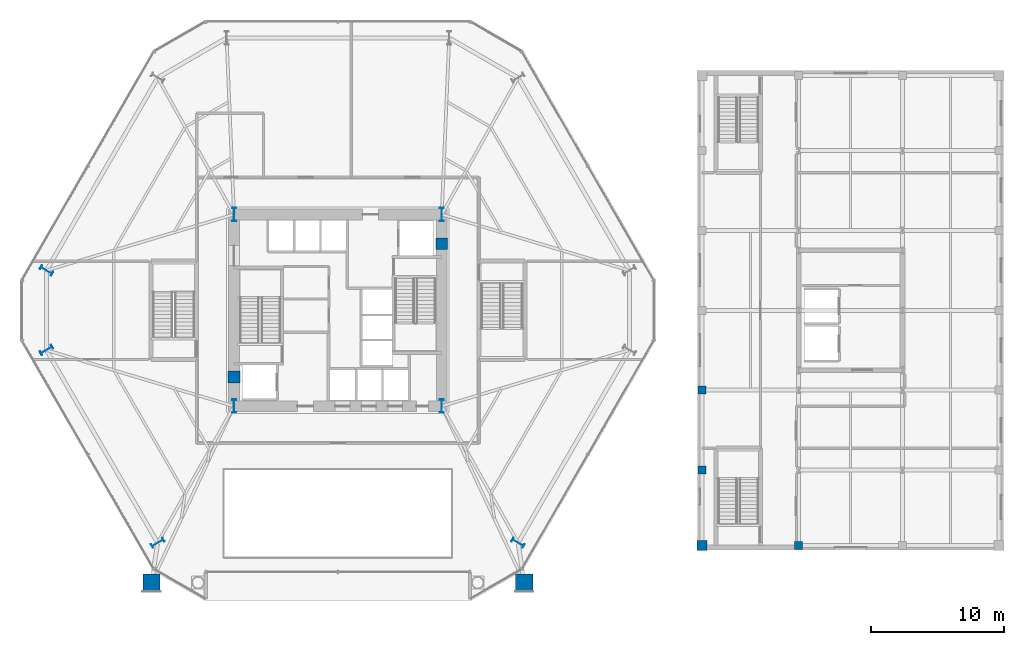
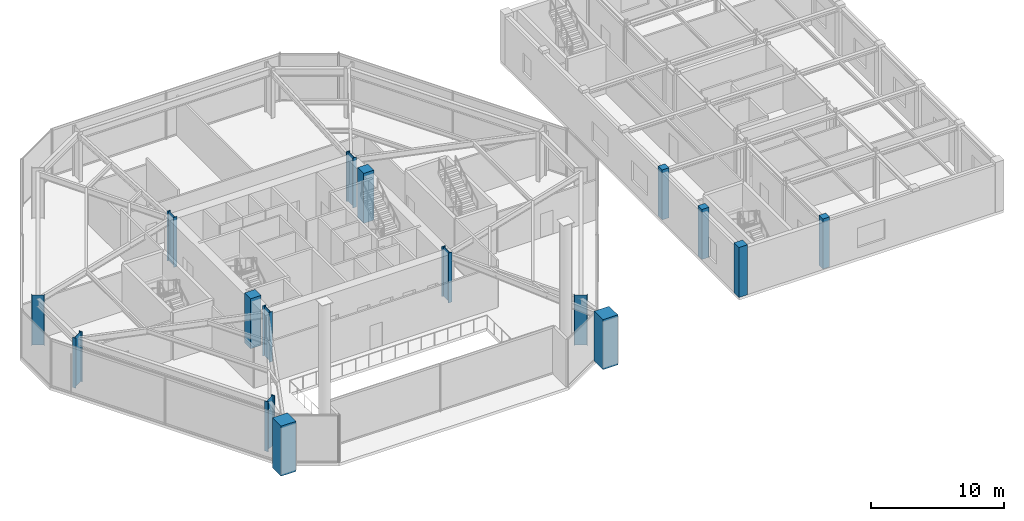
# One storey, part 1 of 22: 16 columns.
"""IFC4 building model written with IfcOpenShell, lengths in metres."""

from ifc_helpers import new_model, si_unit, direction, frame, origin, origin_2d, place, context, subcontext, project, spatial, rectangle, i_section, extrude, material, material_profile, profile_set, type_object, element, save


model = new_model("IFC4")

# Units and contexts
model_context = context("Model", 3, precision=1e-05, world=origin(), true_north=direction((0.0, 1.0)))
body_context = subcontext(model_context, "Body", "Model", "MODEL_VIEW")
ifc_project = project(units=[si_unit("LENGTHUNIT", "METRE"), si_unit("AREAUNIT", "SQUARE_METRE"), si_unit("VOLUMEUNIT", "CUBIC_METRE"), si_unit("PLANEANGLEUNIT", "RADIAN"), si_unit("MASSUNIT", "GRAM", prefix="KILO")], contexts=[model_context])

# Site, building, storey
site_placement = place(None, origin())
site = spatial("IfcSite", under=ifc_project, at=site_placement, CompositionType="ELEMENT")
building_placement = place(site_placement, origin())
building = spatial("IfcBuilding", under=site, at=building_placement, Name="Kranzbogen Civic Tower", CompositionType="ELEMENT")
storey_placement = place(building_placement, frame((0.0, 0.0, 5.199951171875)))
storey = spatial("IfcBuildingStorey", under=building, at=storey_placement, Name="L01", CompositionType="ELEMENT", Elevation=5.199951171875)

# Columns
ifc_material_1 = material(Name="Steel S460", Category="steel")
ifc_material_profile_1 = material_profile(ifc_material_1, i_section(OverallWidth=0.302001953125, OverallDepth=1.008056640625, WebThickness=0.02099609375, FlangeThickness=0.0400390625, at=origin_2d()), Name="HEM 1000")
ifc_profile_set_1 = profile_set([ifc_material_profile_1], Name="Steel S460")
column_type_1 = type_object("IfcColumnType", Name="Structural Column HEM 1000", PredefinedType="COLUMN", material=ifc_profile_set_1)
for number, where, z_axis, x_axis, name in (
    (1, (17.199951171875, 17.800048828125, 0.0), (0.0, 0.0, 1.0), (1.0, 0.0, 0.0), "L01 composite core corner column 1"),
    (2, (32.800048828125, 17.800048828125, 0.0), (0.0, 0.0, 1.0), (1.0, 0.0, 0.0), "L01 composite core corner column 2"),
    (3, (32.800048828125, 32.199951171875, 0.0), (0.0, 0.0, 1.0), (1.0, 0.0, 0.0), "L01 composite core corner column 3"),
    (4, (17.199951171875, 32.199951171875, 0.0), (0.0, 0.0, 1.0), (1.0, 0.0, 0.0), "L01 composite core corner column 4"),
    (5, (3.110107421875, 27.986083984375, 0.0), (0.0, 0.0, 1.0), (0.5, 0.866025403784, 0.0), "L01 tower perimeter tube column 06"),
    (6, (3.110107421875, 22.013916015625, 0.0), (0.0, 0.0, 1.0), (-0.5, 0.866025403784, 0.0), "L01 tower perimeter tube column 07"),
    (7, (11.468994140625, 7.535888671875, 0.0), (0.0, 0.0, 1.0), (-0.5, 0.866025403784, 0.0), "L01 tower perimeter tube column 08"),
    (8, (38.531005859375, 7.535888671875, 0.0), (0.0, 0.0, 1.0), (0.5, 0.866025403784, 0.0), "L01 tower perimeter tube column 11"),
):
    element("IfcColumn", number, at=place(storey_placement, frame(where, z_axis=z_axis, x_axis=x_axis)), inside=storey, type_object=column_type_1, Name=name, PredefinedType="COLUMN", context=body_context, shape_type="SweptSolid", body=[
        extrude(i_section(OverallWidth=0.302001953125, OverallDepth=1.008056640625, WebThickness=0.02099609375, FlangeThickness=0.0400390625, at=origin_2d()), origin(), (0.0, 0.0, 1.0), 4.60009765625),
    ])
ifc_material_2 = material(Name="Concrete C55/67", Category="concrete")
ifc_material_profile_2 = material_profile(ifc_material_2, rectangle(XDim=1.300048828125, YDim=1.300048828125, at=origin_2d()), Name="RC 1300x1300")
ifc_profile_set_2 = profile_set([ifc_material_profile_2], Name="Concrete C55/67")
column_type_2 = type_object("IfcColumnType", Name="Structural Column RC 1300x1300", PredefinedType="COLUMN", material=ifc_profile_set_2)
for number, where, z_axis, x_axis, name in (
    (9, (11.0, 4.550048828125, 0.0), (0.0, 0.0, 1.0), (1.0, 0.0, 0.0), "L01 portal arch corner pier 1"),
    (10, (39.0, 4.550048828125, 0.0), (0.0, 0.0, 1.0), (1.0, 0.0, 0.0), "L01 portal arch corner pier 2"),
):
    element("IfcColumn", number, at=place(storey_placement, frame(where, z_axis=z_axis, x_axis=x_axis)), inside=storey, type_object=column_type_2, Name=name, PredefinedType="COLUMN", context=body_context, shape_type="SweptSolid", body=[
        extrude(rectangle(XDim=1.300048828125, YDim=1.300048828125, at=origin_2d()), origin(), (0.0, 0.0, 1.0), 4.60009765625),
    ])
ifc_material_3 = material(Name="Concrete C40/50", Category="concrete")
ifc_material_profile_3 = material_profile(ifc_material_3, rectangle(XDim=0.60009765625, YDim=0.60009765625, at=origin_2d()), Name="RC 600x600")
ifc_profile_set_3 = profile_set([ifc_material_profile_3], Name="Concrete C40/50")
column_type_3 = type_object("IfcColumnType", Name="Structural Column RC 600x600", PredefinedType="COLUMN", material=ifc_profile_set_3)
for number, where, z_axis, x_axis, name in (
    (11, (52.35009765625, 13.0, 0.0), (0.0, 0.0, 1.0), (1.0, 0.0, 0.0), "L01 Health Centre column 10/C"),
    (12, (52.35009765625, 19.0, 0.0), (0.0, 0.0, 1.0), (1.0, 0.0, 0.0), "L01 Health Centre column 10/D"),
    (13, (59.60009765625, 7.35009765625, 0.0), (0.0, 0.0, 1.0), (1.0, 0.0, 0.0), "L01 Health Centre column 11/B"),
):
    element("IfcColumn", number, at=place(storey_placement, frame(where, z_axis=z_axis, x_axis=x_axis)), inside=storey, type_object=column_type_3, Name=name, PredefinedType="COLUMN", context=body_context, shape_type="SweptSolid", body=[
        extrude(rectangle(XDim=0.60009765625, YDim=0.60009765625, at=origin_2d()), origin(), (0.0, 0.0, 1.0), 4.60009765625),
    ])
ifc_material_profile_4 = material_profile(ifc_material_3, rectangle(XDim=0.75, YDim=0.75, at=origin_2d()), Name="RC 750x750")
ifc_profile_set_4 = profile_set([ifc_material_profile_4], Name="Concrete C40/50")
column_type_4 = type_object("IfcColumnType", Name="Structural Column RC 750x750", PredefinedType="COLUMN", material=ifc_profile_set_4)
column_placement = place(storey_placement, frame((52.35009765625, 7.35009765625, 0.0), z_axis=(0.0, 0.0, 1.0), x_axis=(1.0, 0.0, 0.0)))
element("IfcColumn", 14, at=column_placement, inside=storey, type_object=column_type_4, Name="L01 Health Centre column 10/B", PredefinedType="COLUMN", context=body_context, shape_type="SweptSolid", body=[
    extrude(rectangle(XDim=0.75, YDim=0.75, at=origin_2d()), origin(), (0.0, 0.0, 1.0), 4.60009765625),
])
ifc_material_4 = material(Name="Concrete C45/55", Category="concrete")
ifc_material_profile_5 = material_profile(ifc_material_4, rectangle(XDim=0.89990234375, YDim=0.89990234375, at=origin_2d()), Name="RC 900x900")
ifc_profile_set_5 = profile_set([ifc_material_profile_5], Name="Concrete C45/55")
column_type_5 = type_object("IfcColumnType", Name="Structural Column RC 900x900", PredefinedType="PILASTER", material=ifc_profile_set_5)
for number, where, z_axis, x_axis, name in (
    (15, (17.199951171875, 20.0, 0.0), (0.0, 0.0, 1.0), (1.0, 0.0, 0.0), "L01 core portal pilaster 1"),
    (16, (32.800048828125, 30.0, 0.0), (0.0, 0.0, 1.0), (1.0, 0.0, 0.0), "L01 core portal pilaster 2"),
):
    element("IfcColumn", number, at=place(storey_placement, frame(where, z_axis=z_axis, x_axis=x_axis)), inside=storey, type_object=column_type_5, Name=name, PredefinedType="PILASTER", context=body_context, shape_type="SweptSolid", body=[
        extrude(rectangle(XDim=0.89990234375, YDim=0.89990234375, at=origin_2d()), origin(), (0.0, 0.0, 1.0), 4.60009765625),
    ])

save(model, "model.ifc")
